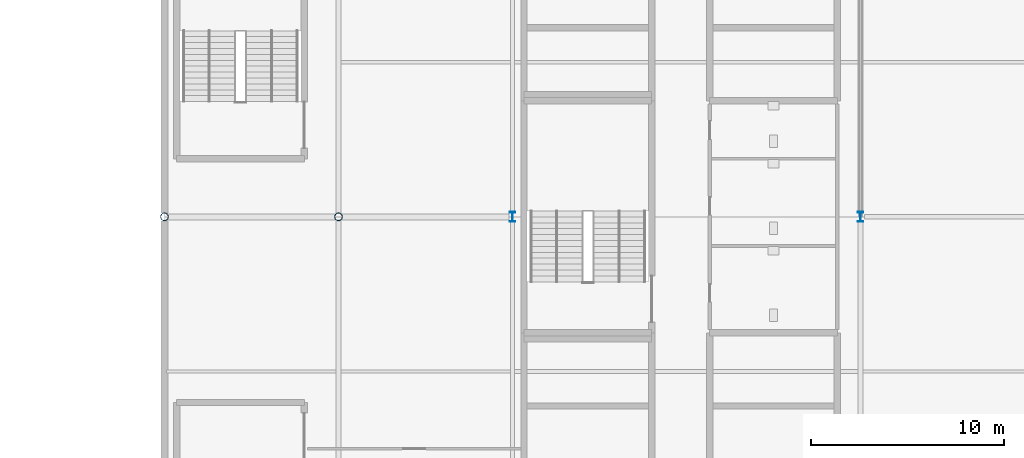
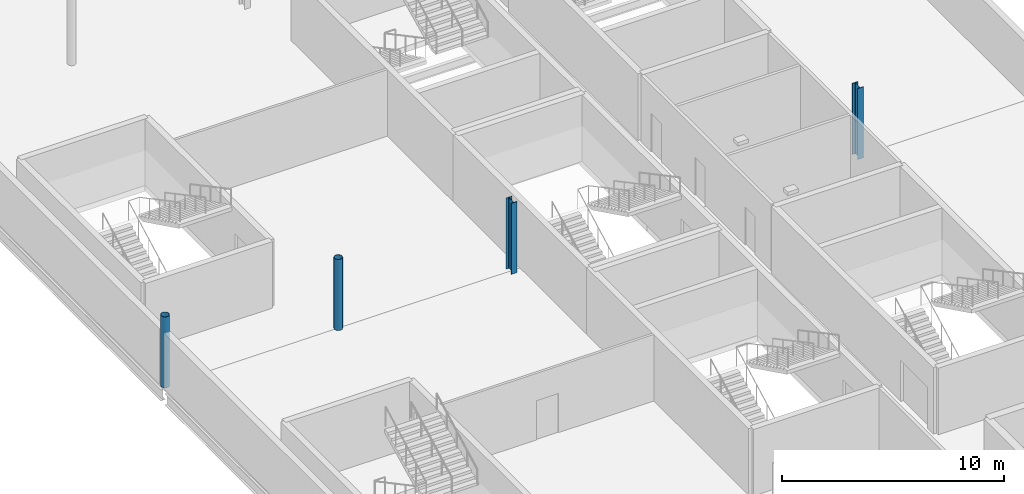
# One storey, part 11 of 96: 4 columns.
"""IFC4 building model written with IfcOpenShell, lengths in metres."""

from ifc_helpers import new_model, si_unit, direction, frame, origin, origin_2d, place, context, subcontext, project, spatial, hollow_circle, i_section, extrude, material, material_profile, profile_set, type_object, element, save


model = new_model("IFC4")

# Units and contexts
model_context = context("Model", 3, precision=1e-05, world=origin(), true_north=direction((0.0, 1.0)))
body_context = subcontext(model_context, "Body", "Model", "MODEL_VIEW")
ifc_project = project(units=[si_unit("LENGTHUNIT", "METRE"), si_unit("AREAUNIT", "SQUARE_METRE"), si_unit("VOLUMEUNIT", "CUBIC_METRE"), si_unit("PLANEANGLEUNIT", "RADIAN"), si_unit("MASSUNIT", "GRAM", prefix="KILO")], contexts=[model_context])

# Site, building, storey
site_placement = place(None, origin())
site = spatial("IfcSite", under=ifc_project, at=site_placement, CompositionType="ELEMENT")
building_placement = place(site_placement, origin())
building = spatial("IfcBuilding", under=site, at=building_placement, Name="Kisiwana Market Hall", CompositionType="ELEMENT")
storey_placement = place(building_placement, frame((0.0, 0.0, 25.5)))
storey = spatial("IfcBuildingStorey", under=building, at=storey_placement, Name="L05", CompositionType="ELEMENT", Elevation=25.5)

# Columns
ifc_material_1 = material(Name="Steel S355", Category="steel")
ifc_material_profile_1 = material_profile(ifc_material_1, hollow_circle(Radius=0.203125, WallThickness=0.01611328125, at=origin_2d()), Name="CHS 406.4x16")
ifc_profile_set_1 = profile_set([ifc_material_profile_1], Name="Steel S355")
column_type_1 = type_object("IfcColumnType", Name="COL-STL-CHS406", PredefinedType="COLUMN", material=ifc_profile_set_1)
for number, where, z_axis, x_axis, name in (
    (1, (153.0, 60.0, 0.0), (0.0, 0.0, 1.0), (1.0, 0.0, 0.0), "Column H/18 (L05) C-0941"),
    (2, (162.0, 60.0, 0.0), (0.0, 0.0, 1.0), (1.0, 0.0, 0.0), "Column H/19 (L05) C-0880"),
):
    element("IfcColumn", number, at=place(storey_placement, frame(where, z_axis=z_axis, x_axis=x_axis)), inside=storey, type_object=column_type_1, Name=name, PredefinedType="COLUMN", context=body_context, shape_type="SweptSolid", body=[
        extrude(hollow_circle(Radius=0.203125, WallThickness=0.01611328125, at=origin_2d()), origin(), (0.0, 0.0, 1.0), 3.89990234375),
    ])
ifc_material_2 = material(Name="Steel S355", Category="steel")
ifc_material_profile_2 = material_profile(ifc_material_2, i_section(OverallWidth=0.300048828125, OverallDepth=0.5, WebThickness=0.014404296875, FlangeThickness=0.028076171875, FilletRadius=0.027099609375, at=origin_2d()), Name="HEB 500")
ifc_profile_set_2 = profile_set([ifc_material_profile_2], Name="Steel S355")
column_type_2 = type_object("IfcColumnType", Name="COL-STL-HEB500", PredefinedType="COLUMN", material=ifc_profile_set_2)
for number, where, z_axis, x_axis, name in (
    (3, (171.0, 60.0, 0.0), (0.0, 0.0, 1.0), (1.0, 0.0, 0.0), "Column H/20 (L05) C-0955"),
    (4, (189.0, 60.0, 0.0), (0.0, 0.0, 1.0), (1.0, 0.0, 0.0), "Column H/22 (L05) C-0881"),
):
    element("IfcColumn", number, at=place(storey_placement, frame(where, z_axis=z_axis, x_axis=x_axis)), inside=storey, type_object=column_type_2, Name=name, PredefinedType="COLUMN", context=body_context, shape_type="SweptSolid", body=[
        extrude(i_section(OverallWidth=0.300048828125, OverallDepth=0.5, WebThickness=0.014404296875, FlangeThickness=0.028076171875, FilletRadius=0.027099609375, at=origin_2d()), origin(), (0.0, 0.0, 1.0), 3.89990234375),
    ])

save(model, "model.ifc")
